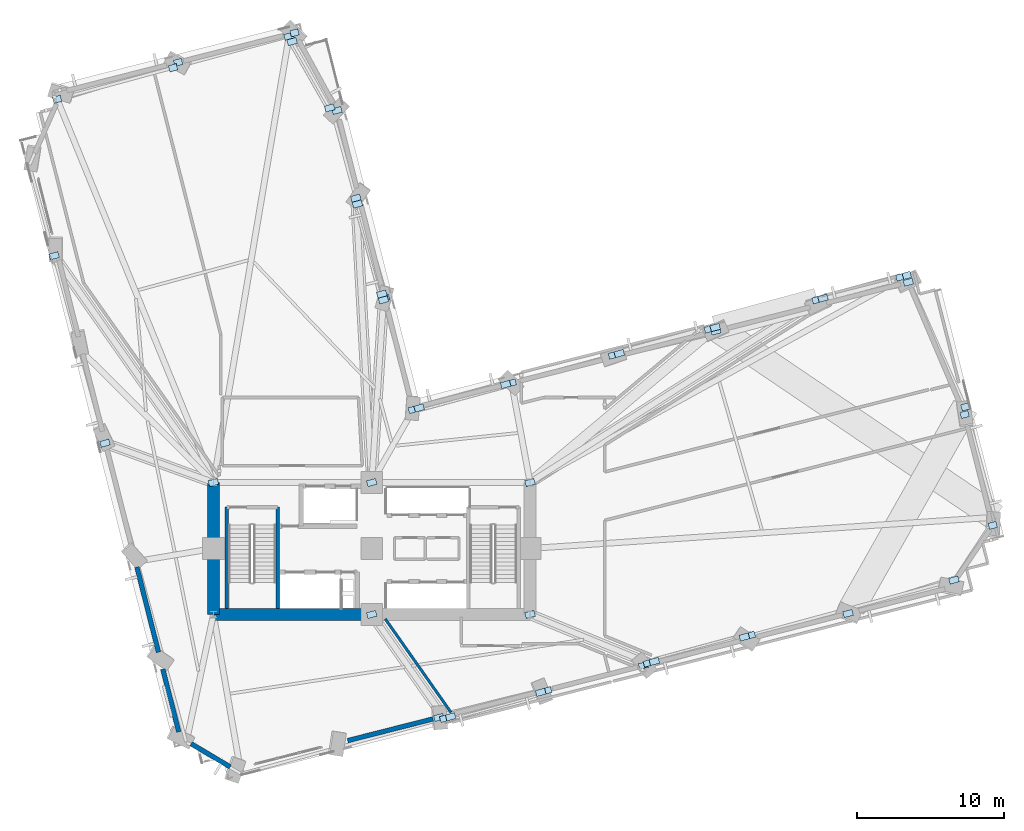
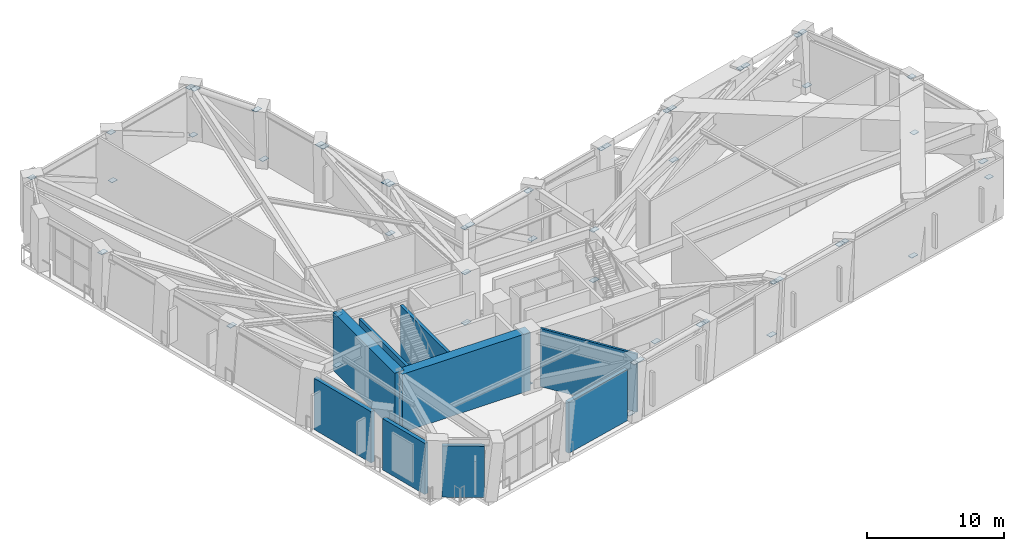
# One storey, part 9 of 17: 52 plates, 9 walls.
"""IFC4 building model written with IfcOpenShell, lengths in metres."""

from ifc_helpers import new_model, si_unit, direction, frame, frame_2d, origin, origin_2d, place, context, subcontext, project, spatial, rectangle, extrude, material, layer, layer_set, type_object, element, save


model = new_model("IFC4")

# Units and contexts
model_context = context("Model", 3, precision=1e-05, world=origin(), true_north=direction((0.0, 1.0)))
body_context = subcontext(model_context, "Body", "Model", "MODEL_VIEW")
ifc_project = project(units=[si_unit("LENGTHUNIT", "METRE"), si_unit("AREAUNIT", "SQUARE_METRE"), si_unit("VOLUMEUNIT", "CUBIC_METRE"), si_unit("PLANEANGLEUNIT", "RADIAN"), si_unit("MASSUNIT", "GRAM", prefix="KILO")], contexts=[model_context])

# Site, building, storey
site_placement = place(None, origin())
site = spatial("IfcSite", under=ifc_project, at=site_placement, CompositionType="ELEMENT")
building_placement = place(site_placement, origin())
building = spatial("IfcBuilding", under=site, at=building_placement, Name="Gaonmaruhae Medical Tower", CompositionType="ELEMENT")
storey_placement = place(building_placement, frame((0.0, 0.0, 83.0)))
storey = spatial("IfcBuildingStorey", under=building, at=storey_placement, Name="L19", CompositionType="ELEMENT", Elevation=83.0)

# Plates
ifc_material_1 = material(Name="Steel HSA650 (650 MPa)", Category="steel")
ifc_layer_1 = layer(ifc_material_1, 0.035888671875)
ifc_layer_set_1 = layer_set([ifc_layer_1], Name="Steel HSA650 (650 MPa)")
plate_type_1 = type_object("IfcPlateType", Name="GP-01 Outrigger Gusset & End Cap Plate", PredefinedType="USERDEFINED", material=ifc_layer_set_1)
for number, where, z_axis, x_axis, name in (
    (1, (24.800048828125, 7.800048828125, 0.33203125), (0.0, 0.0, 1.0), (0.969230909707, 0.246153293029, 0.0), "L19 Gusset Cap Plate PLT-L19-OTD01A"),
    (2, (29.783447265625, 0.70654296875, 4.81201171875), (0.0, 0.0, 1.0), (0.965016494472, 0.262189178641, 0.0), "L19 Gusset Cap Plate PLT-L19-OTD01B"),
    (3, (35.60009765625, 7.800048828125, 0.33203125), (0.0, 0.0, 1.0), (0.969230909707, 0.246153293029, 0.0), "L19 Gusset Cap Plate PLT-L19-OTD02A"),
    (4, (43.6796875, 4.48193359375, 4.81201171875), (0.0, 0.0, 1.0), (0.965016494472, 0.262189178641, 0.0), "L19 Gusset Cap Plate PLT-L19-OTD02B"),
    (5, (35.60009765625, 16.800048828125, 0.33203125), (0.0, 0.0, 1.0), (0.969230909707, 0.246153293029, 0.0), "L19 Gusset Cap Plate PLT-L19-OTD03A"),
    (6, (55.184326171875, 29.265380859375, 4.81201171875), (0.0, 0.0, 1.0), (0.965016494472, 0.262189178641, 0.0), "L19 Gusset Cap Plate PLT-L19-OTD03B"),
    (7, (35.60009765625, 16.800048828125, 4.81201171875), (0.0, 0.0, 1.0), (0.965016494472, 0.262189178641, 0.0), "L19 Gusset Cap Plate PLT-L19-OTC03A"),
    (8, (48.236083984375, 27.377685546875, 4.81201171875), (0.0, 0.0, 1.0), (0.965016494472, 0.262189178641, 0.0), "L19 Gusset Cap Plate PLT-L19-OTD04B"),
    (9, (24.800048828125, 16.800048828125, 0.33203125), (0.0, 0.0, 1.0), (0.969230909707, 0.246153293029, 0.0), "L19 Gusset Cap Plate PLT-L19-OTD05A"),
    (10, (25.60107421875, 29.2587890625, 4.81201171875), (0.0, 0.0, 1.0), (0.965016494472, 0.262189178641, 0.0), "L19 Gusset Cap Plate PLT-L19-OTD05B"),
    (11, (23.71337890625, 36.206787109375, 4.81201171875), (0.0, 0.0, 1.0), (0.965016494472, 0.262189178641, 0.0), "L19 Gusset Cap Plate PLT-L19-OTD06B"),
    (12, (24.800048828125, 16.800048828125, 4.81201171875), (0.0, 0.0, 1.0), (0.965016494472, 0.262189178641, 0.0), "L19 Gusset Cap Plate PLT-L19-OTC06A"),
    (13, (14.0, 16.800048828125, 0.33203125), (0.0, 0.0, 1.0), (0.969230909707, 0.246153293029, 0.0), "L19 Gusset Cap Plate PLT-L19-OTD07A"),
    (14, (3.125, 32.271240234375, 4.81201171875), (0.0, 0.0, 1.0), (0.965016494472, 0.262189178641, 0.0), "L19 Gusset Cap Plate PLT-L19-OTD07B"),
    (15, (14.0, 16.800048828125, 4.81201171875), (0.0, 0.0, 1.0), (0.965016494472, 0.262189178641, 0.0), "L19 Gusset Cap Plate PLT-L19-OTC07A"),
    (16, (6.59912109375, 19.484619140625, 4.81201171875), (0.0, 0.0, 1.0), (0.965016494472, 0.262189178641, 0.0), "L19 Gusset Cap Plate PLT-L19-OTD08B"),
    (17, (29.384521484375, 0.773193359375, 0.33203125), (0.0, 0.0, 1.0), (0.969230909707, 0.246153293029, 0.0), "L19 Gusset Cap Plate PLT-L19-BTD01A"),
    (18, (36.731689453125, 2.59423828125, 4.81201171875), (0.0, 0.0, 1.0), (0.965016494472, 0.262189178641, 0.0), "L19 Gusset Cap Plate PLT-L19-BTD01B"),
    (19, (30.18896484375, 0.816650390625, 4.81201171875), (0.0, 0.0, 1.0), (0.965016494472, 0.262189178641, 0.0), "L19 Gusset Cap Plate PLT-L19-BTC01A"),
    (20, (36.326416015625, 2.484130859375, 4.81201171875), (0.0, 0.0, 1.0), (0.965016494472, 0.262189178641, 0.0), "L19 Gusset Cap Plate PLT-L19-BTC01B"),
    (21, (43.341552734375, 4.317626953125, 0.33203125), (0.0, 0.0, 1.0), (0.969230909707, 0.246153293029, 0.0), "L19 Gusset Cap Plate PLT-L19-BTD02A"),
    (22, (50.6279296875, 6.369873046875, 4.81201171875), (0.0, 0.0, 1.0), (0.965016494472, 0.262189178641, 0.0), "L19 Gusset Cap Plate PLT-L19-BTD02B"),
    (23, (44.085205078125, 4.592041015625, 4.81201171875), (0.0, 0.0, 1.0), (0.965016494472, 0.262189178641, 0.0), "L19 Gusset Cap Plate PLT-L19-BTC02A"),
    (24, (50.22265625, 6.259765625, 4.81201171875), (0.0, 0.0, 1.0), (0.965016494472, 0.262189178641, 0.0), "L19 Gusset Cap Plate PLT-L19-BTC02B"),
    (25, (57.29833984375, 7.8623046875, 0.33203125), (0.0, 0.0, 1.0), (0.969230909707, 0.246153293029, 0.0), "L19 Gusset Cap Plate PLT-L19-BTD03A"),
    (26, (64.524169921875, 10.145263671875, 4.81201171875), (0.0, 0.0, 1.0), (0.965016494472, 0.262189178641, 0.0), "L19 Gusset Cap Plate PLT-L19-BTD03B"),
    (27, (61.409912109375, 30.469970703125, 0.33203125), (0.0, 0.0, 1.0), (0.969230909707, 0.246153293029, 0.0), "L19 Gusset Cap Plate PLT-L19-BTD04A"),
    (28, (60.906982421875, 30.820068359375, 4.81201171875), (0.0, 0.0, 1.0), (0.965016494472, 0.262189178641, 0.0), "L19 Gusset Cap Plate PLT-L19-BTC04A"),
    (29, (55.589599609375, 29.37548828125, 4.81201171875), (0.0, 0.0, 1.0), (0.965016494472, 0.262189178641, 0.0), "L19 Gusset Cap Plate PLT-L19-BTC04B"),
    (30, (48.27685546875, 27.134521484375, 0.33203125), (0.0, 0.0, 1.0), (0.969230909707, 0.246153293029, 0.0), "L19 Gusset Cap Plate PLT-L19-BTD05A"),
    (31, (41.2880859375, 25.48974609375, 4.81201171875), (0.0, 0.0, 1.0), (0.965016494472, 0.262189178641, 0.0), "L19 Gusset Cap Plate PLT-L19-BTD05B"),
    (32, (47.830810546875, 27.267578125, 4.81201171875), (0.0, 0.0, 1.0), (0.965016494472, 0.262189178641, 0.0), "L19 Gusset Cap Plate PLT-L19-BTC05A"),
    (33, (41.693359375, 25.60009765625, 4.81201171875), (0.0, 0.0, 1.0), (0.965016494472, 0.262189178641, 0.0), "L19 Gusset Cap Plate PLT-L19-BTC05B"),
    (34, (34.320068359375, 23.590087890625, 0.33203125), (0.0, 0.0, 1.0), (0.969230909707, 0.246153293029, 0.0), "L19 Gusset Cap Plate PLT-L19-BTD06A"),
    (35, (27.633056640625, 21.77978515625, 4.81201171875), (0.0, 0.0, 1.0), (0.965016494472, 0.262189178641, 0.0), "L19 Gusset Cap Plate PLT-L19-BTD06B"),
    (36, (33.9345703125, 23.491943359375, 4.81201171875), (0.0, 0.0, 1.0), (0.965016494472, 0.262189178641, 0.0), "L19 Gusset Cap Plate PLT-L19-BTC06A"),
    (37, (28.038330078125, 21.889892578125, 4.81201171875), (0.0, 0.0, 1.0), (0.965016494472, 0.262189178641, 0.0), "L19 Gusset Cap Plate PLT-L19-BTC06B"),
    (38, (25.67626953125, 29.390869140625, 0.33203125), (0.0, 0.0, 1.0), (0.969230909707, 0.246153293029, 0.0), "L19 Gusset Cap Plate PLT-L19-BTD07A"),
    (39, (25.490966796875, 29.6640625, 4.81201171875), (0.0, 0.0, 1.0), (0.965016494472, 0.262189178641, 0.0), "L19 Gusset Cap Plate PLT-L19-BTC07A"),
    (40, (23.823486328125, 35.801513671875, 4.81201171875), (0.0, 0.0, 1.0), (0.965016494472, 0.262189178641, 0.0), "L19 Gusset Cap Plate PLT-L19-BTC07B"),
    (41, (22.427001953125, 42.1845703125, 0.33203125), (0.0, 0.0, 1.0), (0.969230909707, 0.246153293029, 0.0), "L19 Gusset Cap Plate PLT-L19-BTD08A"),
    (42, (19.158935546875, 47.2490234375, 4.81201171875), (0.0, 0.0, 1.0), (0.965016494472, 0.262189178641, 0.0), "L19 Gusset Cap Plate PLT-L19-BTD08B"),
    (43, (21.932861328125, 42.3623046875, 4.81201171875), (0.0, 0.0, 1.0), (0.965016494472, 0.262189178641, 0.0), "L19 Gusset Cap Plate PLT-L19-BTC08A"),
    (44, (19.3662109375, 46.8837890625, 4.81201171875), (0.0, 0.0, 1.0), (0.965016494472, 0.262189178641, 0.0), "L19 Gusset Cap Plate PLT-L19-BTC08B"),
):
    element("IfcPlate", number, at=place(storey_placement, frame(where, z_axis=z_axis, x_axis=x_axis)), inside=storey, type_object=plate_type_1, Name=name, ObjectType="GUSSET_PLATE", PredefinedType="USERDEFINED", context=body_context, shape_type="SweptSolid", body=[
        extrude(rectangle(XDim=0.64990234375, YDim=0.419921875, at=origin_2d()), origin(), (0.0, 0.0, 1.0), 0.035888671875),
    ])
ifc_layer_2 = layer(ifc_material_1, 0.028076171875)
ifc_layer_set_2 = layer_set([ifc_layer_2], Name="Steel HSA650 (650 MPa)")
plate_type_2 = type_object("IfcPlateType", Name="GP-02 Tube Brace End Cap Gusset Plate", PredefinedType="USERDEFINED", material=ifc_layer_set_2)
for number, where, z_axis, x_axis, name in (
    (45, (67.171630859375, 13.877685546875, 0.23583984375), (0.0, 0.0, 1.0), (0.969230909707, 0.246153293029, 0.0), "L19 Gusset Cap Plate PLT-L19-PBR-E01A"),
    (46, (65.302978515625, 21.962890625, 4.916015625), (0.0, 0.0, 1.0), (0.965016494472, 0.262189178641, 0.0), "L19 Gusset Cap Plate PLT-L19-PBR-E01B"),
    (47, (11.58544921875, 45.467041015625, 0.23583984375), (0.0, 0.0, 1.0), (0.969230909707, 0.246153293029, 0.0), "L19 Gusset Cap Plate PLT-L19-PBR-N02A"),
    (48, (3.33251953125, 42.94921875, 4.916015625), (0.0, 0.0, 1.0), (0.965016494472, 0.262189178641, 0.0), "L19 Gusset Cap Plate PLT-L19-PBR-N02B"),
    (49, (65.25146484375, 21.437744140625, 0.2861328125), (0.0, 0.0, 1.0), (0.969230909707, 0.246153293029, 0.0), "L19 Gusset Cap Plate PLT-L19-CST1A"),
    (50, (61.312255859375, 30.93017578125, 4.86572265625), (0.0, 0.0, 1.0), (0.965016494472, 0.262189178641, 0.0), "L19 Gusset Cap Plate PLT-L19-CST1B"),
    (51, (19.533203125, 47.4853515625, 0.2861328125), (0.0, 0.0, 1.0), (0.969230909707, 0.246153293029, 0.0), "L19 Gusset Cap Plate PLT-L19-CST2A"),
    (52, (11.245849609375, 45.09912109375, 4.86572265625), (0.0, 0.0, 1.0), (0.965016494472, 0.262189178641, 0.0), "L19 Gusset Cap Plate PLT-L19-CST2B"),
):
    element("IfcPlate", number, at=place(storey_placement, frame(where, z_axis=z_axis, x_axis=x_axis)), inside=storey, type_object=plate_type_2, Name=name, ObjectType="GUSSET_PLATE", PredefinedType="USERDEFINED", context=body_context, shape_type="SweptSolid", body=[
        extrude(rectangle(XDim=0.56005859375, YDim=0.43994140625, at=origin_2d()), origin(), (0.0, 0.0, 1.0), 0.028076171875),
    ])

# Walls
ifc_material_2 = material(Name="Concrete C60/75", Category="concrete")
ifc_layer_3 = layer(ifc_material_2, 0.800048828125)
ifc_layer_set_3 = layer_set([ifc_layer_3], Name="Concrete C60/75")
wall_type_1 = type_object("IfcWallType", Name="CW-800 Lower Core Shear Wall", PredefinedType="SHEAR", material=ifc_layer_set_3)
wall_1_placement = place(storey_placement, frame((14.0, 7.800048828125, 0.0), z_axis=(0.0, 0.0, 1.0), x_axis=(1.0, 0.0, 0.0)))
element("IfcWall", 53, at=wall_1_placement, inside=storey, type_object=wall_type_1, Name="L19 Core Shear Wall CSW-S1", PredefinedType="SHEAR", context=body_context, shape_type="SweptSolid", body=[
    extrude(rectangle(XDim=10.800048828125, YDim=0.800048828125, at=frame_2d((5.39990234375, 0.0))), origin(), (0.0, 0.0, 1.0), 5.179931640625),
])
wall_2_placement = place(storey_placement, frame((14.0, 16.800048828125, 0.0), z_axis=(0.0, 0.0, 1.0), x_axis=(0.0, -1.0, 0.0)))
element("IfcWall", 54, at=wall_2_placement, inside=storey, type_object=wall_type_1, Name="L19 Core Shear Wall CSW-W1", PredefinedType="SHEAR", context=body_context, shape_type="SweptSolid", body=[
    extrude(rectangle(XDim=9.0, YDim=0.800048828125, at=frame_2d((4.5, 0.0))), origin(), (0.0, 0.0, 1.0), 5.179931640625),
])
ifc_material_3 = material(Name="Precast concrete C45/55", Category="concrete")
ifc_layer_4 = layer(ifc_material_3, 0.320068359375)
ifc_layer_set_4 = layer_set([ifc_layer_4], Name="Precast concrete C45/55")
wall_type_2 = type_object("IfcWallType", Name="EW-320 Lower Precast Masonry-Frame Facade Wall", PredefinedType="SOLIDWALL", material=ifc_layer_set_4)
wall_3_placement = place(storey_placement, frame((28.980224609375, 0.67041015625, 0.0), z_axis=(0.0, 0.0, 1.0), x_axis=(-0.969224611252, -0.246178091924, 0.0)))
element("IfcWall", 55, at=wall_3_placement, inside=storey, type_object=wall_type_2, Name="L19 Precast Masonry-Frame Wall S02-S03", PredefinedType="SOLIDWALL", context=body_context, shape_type="SweptSolid", body=[
    extrude(rectangle(XDim=6.005859375, YDim=0.320068359375, at=frame_2d((3.0029296875, 0.0))), origin(), (0.0, 0.0, 1.0), 4.56494140625),
])
wall_4_placement = place(storey_placement, frame((10.251220703125, 5.220458984375, 0.0), z_axis=(0.0, 0.0, 1.0), x_axis=(-0.246164165378, 0.969228148417, 0.0)))
element("IfcWall", 56, at=wall_4_placement, inside=storey, type_object=wall_type_2, Name="L19 Precast Masonry-Frame Wall W05-W06", PredefinedType="SOLIDWALL", context=body_context, shape_type="SweptSolid", body=[
    extrude(rectangle(XDim=5.997314453125, YDim=0.320068359375, at=frame_2d((2.99853515625, 0.0))), origin(), (0.0, 0.0, 1.0), 4.56494140625),
])
wall_5_placement = place(storey_placement, frame((11.632080078125, -0.21728515625, 0.0), z_axis=(0.0, 0.0, 1.0), x_axis=(-0.246162913411, 0.96922846639, 0.0)))
element("IfcWall", 57, at=wall_5_placement, inside=storey, type_object=wall_type_2, Name="L19 Precast Masonry-Frame Wall W06-W07", PredefinedType="SOLIDWALL", context=body_context, shape_type="SweptSolid", body=[
    extrude(rectangle(XDim=4.41650390625, YDim=0.320068359375, at=frame_2d((2.208251953125, 0.0))), origin(), (0.0, 0.0, 1.0), 4.56494140625),
])
wall_6_placement = place(storey_placement, frame((15.140380859375, -2.6005859375, 0.0), z_axis=(0.0, 0.0, 1.0), x_axis=(-0.859412399644, 0.51128302078, 0.0)))
element("IfcWall", 58, at=wall_6_placement, inside=storey, type_object=wall_type_2, Name="L19 Precast Masonry-Frame Wall W07-S01", PredefinedType="SOLIDWALL", context=body_context, shape_type="SweptSolid", body=[
    extrude(rectangle(XDim=3.09912109375, YDim=0.320068359375, at=frame_2d((1.549560546875, 0.0))), origin(), (0.0, 0.0, 1.0), 4.56494140625),
])
ifc_material_4 = material(Name="Gypsum board partition", Category="gypsum")
ifc_layer_5 = layer(ifc_material_4, 0.179931640625)
ifc_layer_set_5 = layer_set([ifc_layer_5], Name="Gypsum board partition")
wall_type_3 = type_object("IfcWallType", Name="PW-180 Refuge & Plant Acoustic Fire Partition", PredefinedType="PARTITIONING", material=ifc_layer_set_5)
wall_7_placement = place(storey_placement, frame((30.201904296875, 1.1201171875, 0.0), z_axis=(0.0, 0.0, 1.0), x_axis=(-0.574840135613, 0.818265738308, 0.0)))
element("IfcWall", 59, at=wall_7_placement, inside=storey, type_object=wall_type_3, Name="L19 Interior Partition L19-CHILB-25", PredefinedType="PARTITIONING", context=body_context, shape_type="SweptSolid", body=[
    extrude(rectangle(XDim=7.796875, YDim=0.179931640625, at=frame_2d((3.8984375, 0.0))), origin(), (0.0, 0.0, 1.0), 5.179931640625),
])
ifc_material_5 = material(Name="Concrete C50/60", Category="concrete")
ifc_layer_6 = layer(ifc_material_5, 0.239990234375)
ifc_layer_set_6 = layer_set([ifc_layer_6], Name="Concrete C50/60")
wall_type_4 = type_object("IfcWallType", Name="SW-240 Dogleg Stair Tight Shaft Wall", PredefinedType="SOLIDWALL", material=ifc_layer_set_6)
for number, where, z_axis, x_axis, name in (
    (60, (18.3798828125, 15.1201171875, 0.0), (0.0, 0.0, 1.0), (0.0, -1.0, 0.0), "L19 ST-01 Stair Shaft Wall SHW-ST-01-E"),
    (61, (14.919921875, 8.199951171875, 0.0), (0.0, 0.0, 1.0), (0.0, 1.0, 0.0), "L19 ST-01 Stair Shaft Wall SHW-ST-01-W"),
):
    element("IfcWall", number, at=place(storey_placement, frame(where, z_axis=z_axis, x_axis=x_axis)), inside=storey, type_object=wall_type_4, Name=name, PredefinedType="SOLIDWALL", context=body_context, shape_type="SweptSolid", body=[
        extrude(rectangle(XDim=6.920166015625, YDim=0.239990234375, at=frame_2d((3.4599609375, 0.0))), origin(), (0.0, 0.0, 1.0), 5.179931640625),
    ])

save(model, "model.ifc")
